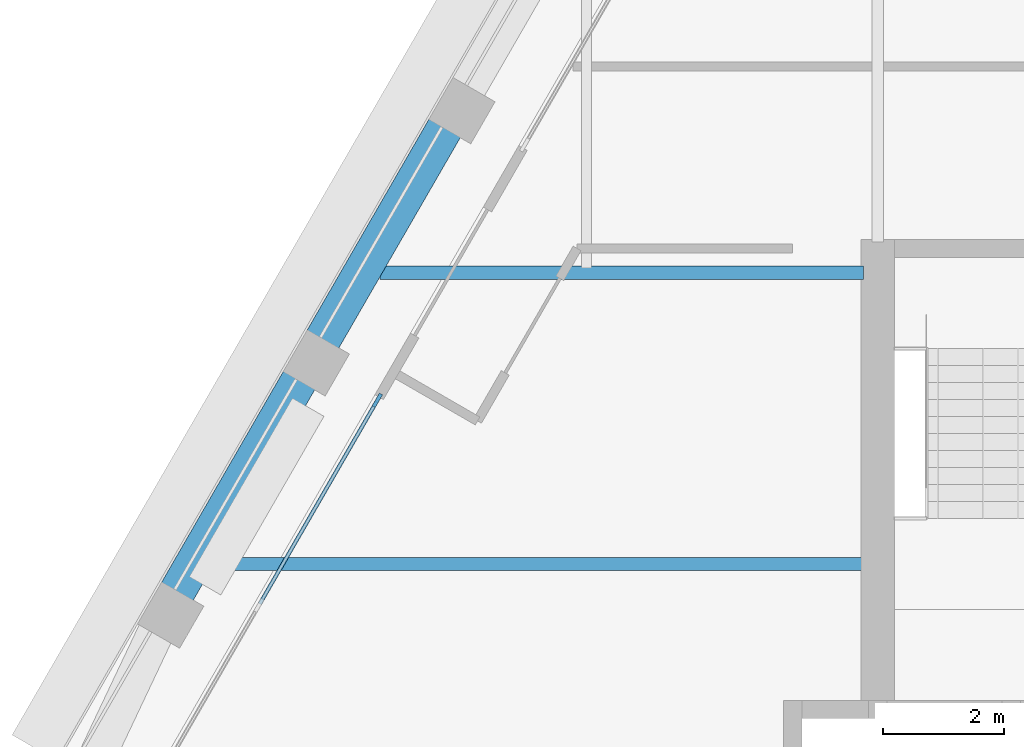
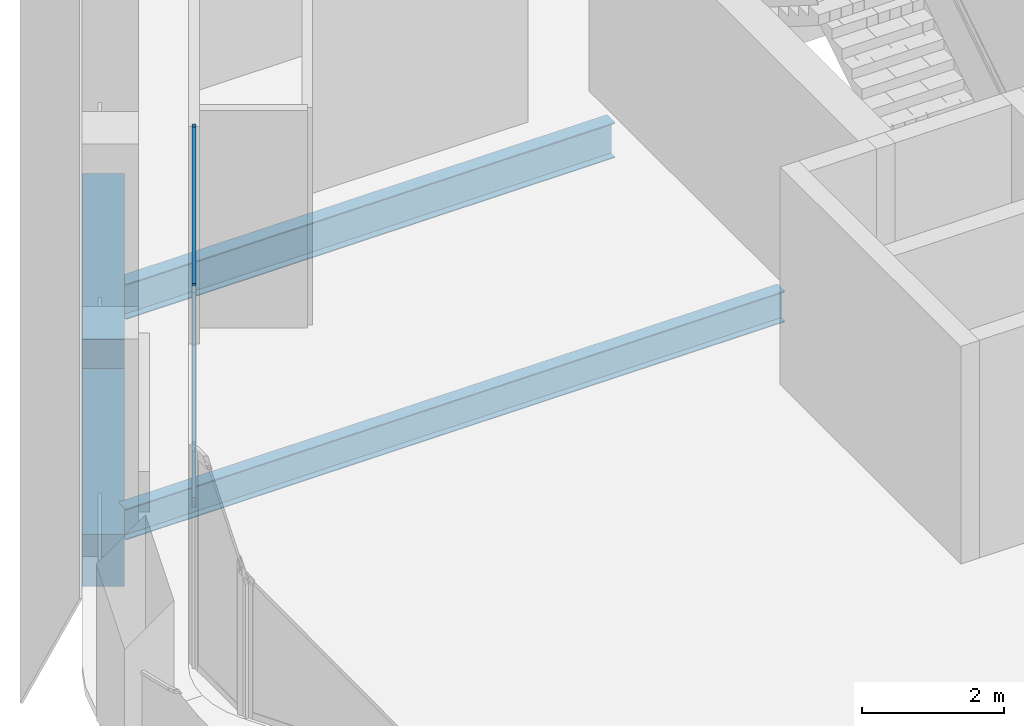
# One storey, part 3 of 13: 4 beams, 3 members, 1 element without a shape of its own.
"""IFC4 building model written with IfcOpenShell, lengths in metres."""

from ifc_helpers import new_model, si_unit, direction, frame, origin, origin_2d, place, context, subcontext, project, spatial, rectangle, i_section, extrude, material, material_profile, profile_set, type_object, element, aggregate, save


model = new_model("IFC4")

# Units and contexts
model_context = context("Model", 3, precision=1e-05, world=origin(), true_north=direction((0.0, 1.0)))
body_context = subcontext(model_context, "Body", "Model", "MODEL_VIEW")
ifc_project = project(units=[si_unit("LENGTHUNIT", "METRE"), si_unit("AREAUNIT", "SQUARE_METRE"), si_unit("VOLUMEUNIT", "CUBIC_METRE"), si_unit("PLANEANGLEUNIT", "RADIAN"), si_unit("MASSUNIT", "GRAM", prefix="KILO")], contexts=[model_context])

# Site, building, storey
site_placement = place(None, origin())
site = spatial("IfcSite", under=ifc_project, at=site_placement, CompositionType="ELEMENT")
building_placement = place(site_placement, origin())
building = spatial("IfcBuilding", under=site, at=building_placement, Name="Kolab Exchange Tower", CompositionType="ELEMENT")
storey_placement = place(building_placement, frame((0.0, 0.0, 273.5)))
storey = spatial("IfcBuildingStorey", under=building, at=storey_placement, Name="L61", CompositionType="ELEMENT", Elevation=273.5)

# Beams
ifc_material_1 = material(Name="Steel S355", Category="steel")
ifc_material_profile_1 = material_profile(ifc_material_1, i_section(OverallWidth=0.208984375, OverallDepth=0.532958984375, WebThickness=0.01025390625, FlangeThickness=0.015625, at=origin_2d()), Name="W530X92")
ifc_profile_set_1 = profile_set([ifc_material_profile_1], Name="Steel S355")
beam_type_1 = type_object("IfcBeamType", Name="FLOOR BEAM W530X92", PredefinedType="BEAM", material=ifc_profile_set_1)
beam_1_placement = place(storey_placement, frame((-20.575927734375, 4.800048828125, -0.41650390625), z_axis=(1.0, 0.0, 0.0), x_axis=(0.0, 1.0, 0.0)))
element("IfcBeam", 1, at=beam_1_placement, inside=storey, type_object=beam_type_1, Name="beam/L61/fr/002", PredefinedType="BEAM", context=body_context, shape_type="SweptSolid", body=[
    extrude(i_section(OverallWidth=0.208984375, OverallDepth=0.532958984375, WebThickness=0.01025390625, FlangeThickness=0.015625, at=origin_2d()), origin(), (0.0, 0.0, 1.0), 10.740966796875),
])
ifc_material_profile_2 = material_profile(ifc_material_1, i_section(OverallWidth=0.22802734375, OverallDepth=0.60791015625, WebThickness=0.01123046875, FlangeThickness=0.017333984375, at=origin_2d()), Name="W610X113")
ifc_profile_set_2 = profile_set([ifc_material_profile_2], Name="Steel S355")
beam_type_2 = type_object("IfcBeamType", Name="FLOOR GIRDER W610X113", PredefinedType="BEAM", material=ifc_profile_set_2)
beam_2_placement = place(storey_placement, frame((-17.8046875, 9.60009765625, -0.4541015625), z_axis=(1.0, 0.0, 0.0), x_axis=(0.0, 1.0, 0.0)))
element("IfcBeam", 2, at=beam_2_placement, inside=storey, type_object=beam_type_2, Name="beam/L61/gd/001", PredefinedType="BEAM", context=body_context, shape_type="SweptSolid", body=[
    extrude(i_section(OverallWidth=0.22802734375, OverallDepth=0.60791015625, WebThickness=0.01123046875, FlangeThickness=0.017333984375, at=origin_2d()), origin(), (0.0, 0.0, 1.0), 7.9697265625),
])
ifc_material_2 = material(Name="Concrete C50/60", Category="concrete")
ifc_material_profile_3 = material_profile(ifc_material_2, rectangle(XDim=0.60009765625, YDim=0.89990234375, at=origin_2d()), Name="RC600X900")
ifc_profile_set_3 = profile_set([ifc_material_profile_3], Name="Concrete C50/60")
beam_type_3 = type_object("IfcBeamType", Name="SPANDREL BEAM 600X900 C50/60", PredefinedType="BEAM", material=ifc_profile_set_3)
for number, where, z_axis, x_axis, name in (
    (3, (-21.16015625, 4.318603515625, -0.60009765625), (0.500000428765, 0.866025156237, 0.0), (-0.866025156237, 0.500000428765, 0.0), "beam/L61/sp/F6-02"),
    (4, (-18.76025390625, 8.4755859375, -0.60009765625), (0.500000428765, 0.866025156237, 0.0), (-0.866025156237, 0.500000428765, 0.0), "beam/L61/sp/F6-03"),
):
    element("IfcBeam", number, at=place(storey_placement, frame(where, z_axis=z_axis, x_axis=x_axis)), inside=storey, type_object=beam_type_3, Name=name, PredefinedType="BEAM", context=body_context, shape_type="SweptSolid", body=[
        extrude(rectangle(XDim=0.60009765625, YDim=0.89990234375, at=origin_2d()), origin(), (0.0, 0.0, 1.0), 4.080078125),
    ])

# Curtain wall, members
ifc_material_3 = material(Name="Aluminium EN AW-6063 T6", Category="aluminium")
curtain_wall_type = type_object("IfcCurtainWallType", Name="UNITISED HIGH ZONE CURTAIN WALL", PredefinedType="NOTDEFINED", material=ifc_material_3)
curtain_wall_placement = place(storey_placement, origin())
curtain_wall = element("IfcCurtainWall", 5, at=curtain_wall_placement, inside=storey, type_object=curtain_wall_type, Name="cw/L61/F6-1", PredefinedType="NOTDEFINED")
ifc_material_profile_4 = material_profile(ifc_material_3, rectangle(XDim=0.06005859375, YDim=0.239990234375, at=origin_2d()), Name="RECT 60X240")
ifc_profile_set_4 = profile_set([ifc_material_profile_4], Name="Aluminium EN AW-6063 T6")
member_type_1 = type_object("IfcMemberType", Name="UNITISED HIGH ZONE MULLION 60 X 240", PredefinedType="MULLION", material=ifc_profile_set_4)
member_1_placement = place(storey_placement, frame((-17.8466796875, 7.497802734375, 0.0), z_axis=(0.0, 0.0, 1.0), x_axis=(-0.866025440524, 0.499999936366, 0.0)))
member_1 = element("IfcMember", 6, at=member_1_placement, type_object=member_type_1, Name="CW4 mullion 3", PredefinedType="MULLION", context=body_context, shape_type="SweptSolid", body=[
    extrude(rectangle(XDim=0.06005859375, YDim=0.239990234375, at=origin_2d()), origin(), (0.0, 0.0, 1.0), 3.75),
])
ifc_material_profile_5 = material_profile(ifc_material_3, rectangle(XDim=0.06005859375, YDim=0.159912109375, at=origin_2d()), Name="RECT 60X160")
ifc_profile_set_5 = profile_set([ifc_material_profile_5], Name="Aluminium EN AW-6063 T6")
member_type_2 = type_object("IfcMemberType", Name="UNITISED HIGH ZONE TRANSOM 60 X 160", PredefinedType="USERDEFINED", material=ifc_profile_set_5)
member_2_placement = place(storey_placement, frame((-19.78369140625, 4.142822265625, 0.030029296875), z_axis=(0.500011990396, 0.866018481016, 0.0), x_axis=(-0.866018481016, 0.500011990396, 0.0)))
member_2 = element("IfcMember", 7, at=member_2_placement, type_object=member_type_2, Name="CW4 transom 2.1", ObjectType="TRANSOM", PredefinedType="USERDEFINED", context=body_context, shape_type="SweptSolid", body=[
    extrude(rectangle(XDim=0.06005859375, YDim=0.159912109375, at=origin_2d()), origin(), (0.0, 0.0, 1.0), 3.84423828125),
])
member_3_placement = place(storey_placement, frame((-19.78369140625, 4.142822265625, 3.719970703125), z_axis=(0.500011990396, 0.866018481016, 0.0), x_axis=(-0.866018481016, 0.500011990396, 0.0)))
member_3 = element("IfcMember", 8, at=member_3_placement, type_object=member_type_2, Name="CW4 transom 2.2", ObjectType="TRANSOM", PredefinedType="USERDEFINED", context=body_context, shape_type="SweptSolid", body=[
    extrude(rectangle(XDim=0.06005859375, YDim=0.159912109375, at=origin_2d()), origin(), (0.0, 0.0, 1.0), 3.84423828125),
])
aggregate(curtain_wall, [member_1, member_2, member_3])

save(model, "model.ifc")
